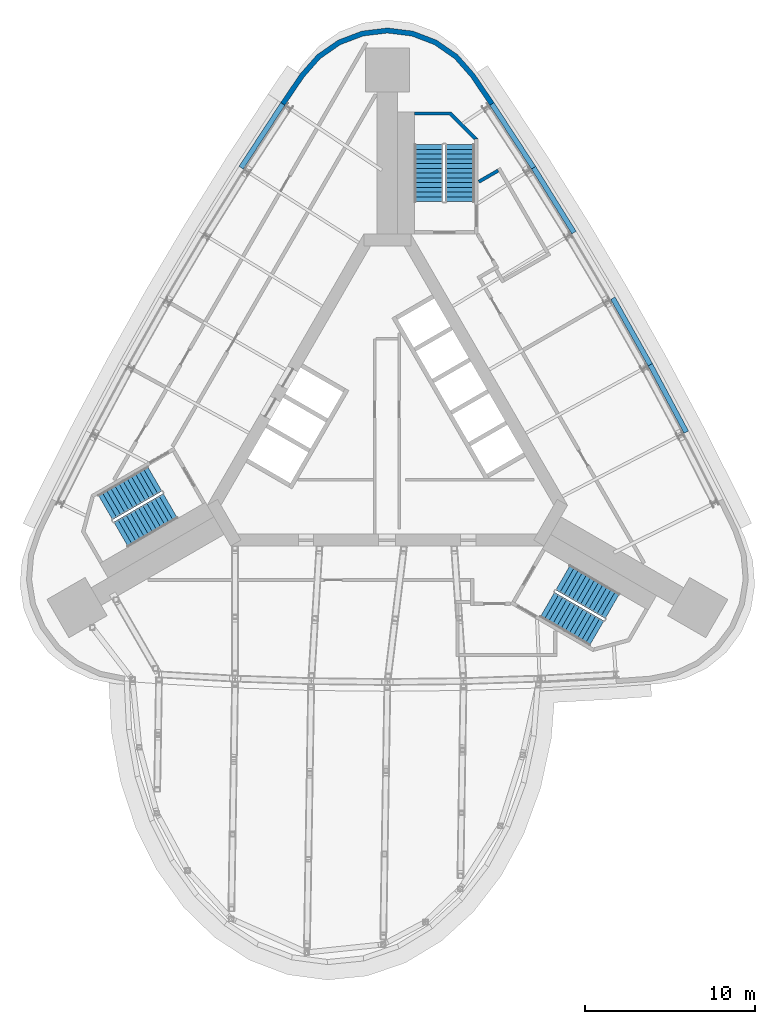
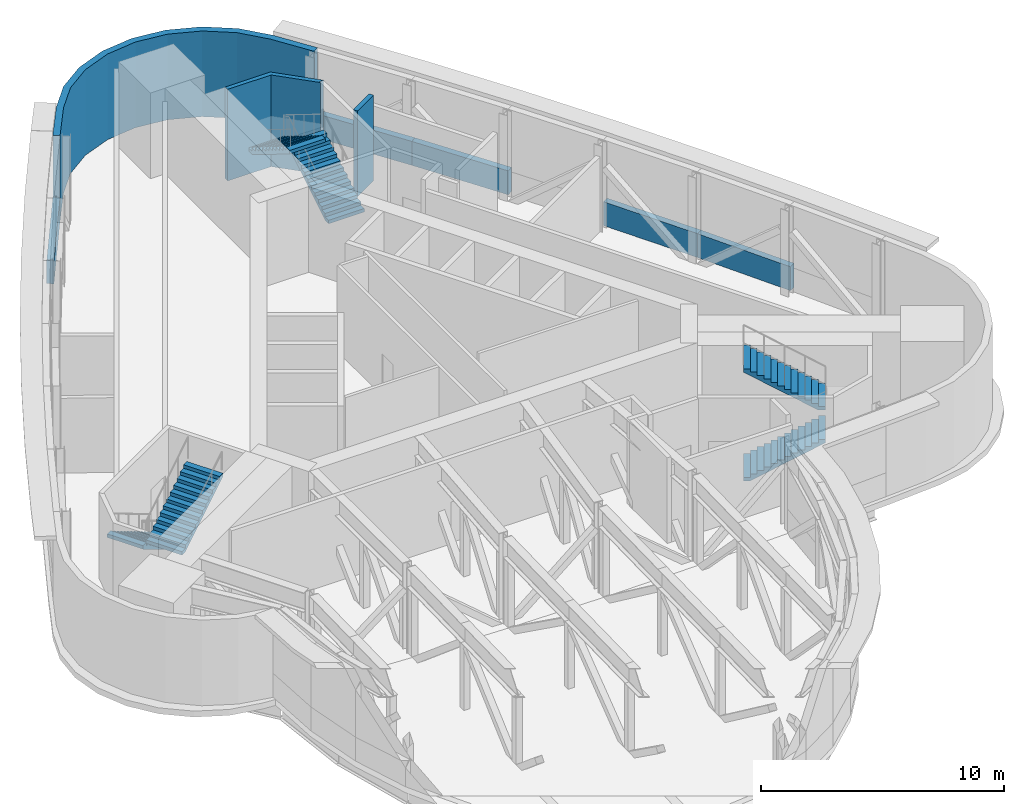
# One storey, part 8 of 10: 8 walls, 6 stair flights, 3 elements without a shape of their own.
"""IFC4 building model written with IfcOpenShell, lengths in metres."""

from ifc_helpers import new_model, si_unit, direction, frame, frame_2d, origin, place, context, subcontext, project, spatial, polyline, rectangle, outline, extrude, material, layer, layer_set, type_object, element, aggregate, save


model = new_model("IFC4")

# Units and contexts
model_context = context("Model", 3, precision=1e-05, world=origin(), true_north=direction((0.0, 1.0)))
body_context = subcontext(model_context, "Body", "Model", "MODEL_VIEW")
ifc_project = project(units=[si_unit("LENGTHUNIT", "METRE"), si_unit("AREAUNIT", "SQUARE_METRE"), si_unit("VOLUMEUNIT", "CUBIC_METRE"), si_unit("PLANEANGLEUNIT", "RADIAN"), si_unit("MASSUNIT", "GRAM", prefix="KILO")], contexts=[model_context])

# Site, building, storey
site_placement = place(None, origin())
site = spatial("IfcSite", under=ifc_project, at=site_placement, CompositionType="ELEMENT")
building_placement = place(site_placement, origin())
building = spatial("IfcBuilding", under=site, at=building_placement, Name="Noor Cloister Tower", CompositionType="ELEMENT")
storey_placement = place(building_placement, frame((0.0, 0.0, 210.300048828125)))
storey = spatial("IfcBuildingStorey", under=building, at=storey_placement, Name="L54", CompositionType="ELEMENT", Elevation=210.300048828125)

# Walls
ifc_material_1 = material(Name="Limestone", Category="masonry")
ifc_layer_1 = layer(ifc_material_1, 0.300048828125)
ifc_layer_set_1 = layer_set([ifc_layer_1], Name="Limestone cladding 300")
wall_type_1 = type_object("IfcWallType", Name="Limestone cladding 300", PredefinedType="NOTDEFINED", material=ifc_layer_set_1)
wall_1_placement = place(storey_placement, origin())
element("IfcWall", 1, at=wall_1_placement, inside=storey, type_object=wall_type_1, Name="Limestone pier cladding L54 3.1", PredefinedType="NOTDEFINED", context=body_context, shape_type="SweptSolid", body=[
    extrude(outline(polyline([(6.2822265625, 19.2041015625), (5.148681640625, 20.87890625), (4.1513671875, 22.012939453125), (2.91064453125, 22.874267578125), (1.499267578125, 23.412109375), (0.0, 23.5947265625), (-1.499267578125, 23.412109375), (-2.91064453125, 22.874267578125), (-4.1513671875, 22.012939453125), (-5.148681640625, 20.87890625), (-6.2822265625, 19.2041015625), (-6.03369140625, 19.035888671875), (-4.910888671875, 20.69482421875), (-3.9501953125, 21.787353515625), (-2.76953125, 22.60693359375), (-1.426513671875, 23.11865234375), (0.0, 23.292724609375), (1.426513671875, 23.11865234375), (2.76953125, 22.60693359375), (3.9501953125, 21.787353515625), (4.910888671875, 20.69482421875), (6.03369140625, 19.035888671875), (6.2822265625, 19.2041015625)])), origin(), (0.0, 0.0, 1.0), 4.300048828125),
])
ifc_material_2 = material(Name="Limestone", Category="masonry")
ifc_layer_2 = layer(ifc_material_2, 0.300048828125)
ifc_layer_set_2 = layer_set([ifc_layer_2], Name="Limestone panel wall 300")
wall_type_2 = type_object("IfcWallType", Name="Limestone panel wall 300", PredefinedType="NOTDEFINED", material=ifc_layer_set_2)
wall_2_placement = place(storey_placement, origin())
element("IfcWall", 2, at=wall_2_placement, inside=storey, type_object=wall_type_2, Name="Limestone panel wall L54 1.1", PredefinedType="NOTDEFINED", context=body_context, shape_type="SweptSolid", body=[
    extrude(outline(polyline([(-6.2822265625, 19.2041015625), (-8.744140625, 15.437255859375), (-8.492919921875, 15.273193359375), (-6.031005859375, 19.039794921875), (-6.2822265625, 19.2041015625)])), origin(), (0.0, 0.0, 1.0), 1.199951171875),
])
wall_3_placement = place(storey_placement, origin())
element("IfcWall", 3, at=wall_3_placement, inside=storey, type_object=wall_type_2, Name="Limestone panel wall L54 4.2", PredefinedType="NOTDEFINED", context=body_context, shape_type="SweptSolid", body=[
    extrude(outline(polyline([(17.7412109375, -0.14599609375), (15.621826171875, 3.823486328125), (15.357177734375, 3.682373046875), (17.4765625, -0.287353515625), (17.7412109375, -0.14599609375)])), origin(), (0.0, 0.0, 1.0), 1.199951171875),
])
wall_4_placement = place(storey_placement, origin())
element("IfcWall", 4, at=wall_4_placement, inside=storey, type_object=wall_type_2, Name="Limestone panel wall L54 4.3", PredefinedType="NOTDEFINED", context=body_context, shape_type="SweptSolid", body=[
    extrude(outline(polyline([(15.621826171875, 3.823486328125), (13.415283203125, 7.745361328125), (13.15380859375, 7.59814453125), (15.3603515625, 3.676513671875), (15.621826171875, 3.823486328125)])), origin(), (0.0, 0.0, 1.0), 1.199951171875),
])
wall_5_placement = place(storey_placement, origin())
element("IfcWall", 5, at=wall_5_placement, inside=storey, type_object=wall_type_2, Name="Limestone panel wall L54 4.5", PredefinedType="NOTDEFINED", context=body_context, shape_type="SweptSolid", body=[
    extrude(outline(polyline([(11.122314453125, 11.6171875), (8.744140625, 15.437255859375), (8.489501953125, 15.27880859375), (10.867431640625, 11.45849609375), (11.122314453125, 11.6171875)])), origin(), (0.0, 0.0, 1.0), 1.199951171875),
])
wall_6_placement = place(storey_placement, origin())
element("IfcWall", 6, at=wall_6_placement, inside=storey, type_object=wall_type_2, Name="Limestone panel wall L54 4.6", PredefinedType="NOTDEFINED", context=body_context, shape_type="SweptSolid", body=[
    extrude(outline(polyline([(8.744140625, 15.437255859375), (6.2822265625, 19.2041015625), (6.031005859375, 19.039794921875), (8.492919921875, 15.273193359375), (8.744140625, 15.437255859375)])), origin(), (0.0, 0.0, 1.0), 1.199951171875),
])
ifc_material_3 = material(Name="Concrete C70/85", Category="concrete")
wall_type_3 = type_object("IfcWallType", Name="Stair far end wall C70/85", PredefinedType="SHEAR", material=ifc_material_3)
wall_7_placement = place(storey_placement, frame((0.0, 0.0, -0.300048828125)))
element("IfcWall", 7, at=wall_7_placement, inside=storey, type_object=wall_type_3, Name="Stair enclosure wall ST1 L54 far end", PredefinedType="SHEAR", context=body_context, shape_type="SweptSolid", body=[
    extrude(outline(polyline([(5.335693359375, 17.056396484375), (3.735595703125, 18.656494140625), (1.585693359375, 18.656494140625), (1.585693359375, 18.456298828125), (3.65283203125, 18.456298828125), (5.135498046875, 16.9736328125), (5.135498046875, 17.056396484375), (5.135498046875, 17.056396484375), (5.135498046875, 17.056396484375), (5.135498046875, 17.056396484375), (5.135498046875, 17.056396484375), (5.135498046875, 17.056396484375), (5.135498046875, 17.056396484375), (5.135498046875, 17.056396484375), (5.135498046875, 17.056396484375), (5.135498046875, 17.056396484375), (5.135498046875, 17.056396484375), (5.135498046875, 17.056396484375), (5.135498046875, 17.056396484375), (5.135498046875, 17.056396484375), (5.135498046875, 17.056396484375), (5.135498046875, 17.056396484375), (5.135498046875, 17.056396484375), (5.335693359375, 17.056396484375)])), origin(), (0.0, 0.0, 1.0), 4.60009765625),
])
ifc_material_4 = material(Name="Concrete block wall, 200 mm", Category="concrete")
ifc_layer_3 = layer(ifc_material_4, 0.199951171875)
ifc_layer_set_3 = layer_set([ifc_layer_3], Name="Upper floor plant room wall 200")
wall_type_4 = type_object("IfcWallType", Name="Upper floor plant room wall 200", PredefinedType="PARTITIONING", material=ifc_layer_set_3)
wall_8_placement = place(storey_placement, frame((6.528564453125, 15.19189453125, 0.0), z_axis=(0.0, 0.0, 1.0), x_axis=(-0.866117824122, -0.499839889103, 0.0)))
element("IfcWall", 8, at=wall_8_placement, inside=storey, type_object=wall_type_4, Name="Upper floor plant room wall 200 L54 019", PredefinedType="PARTITIONING", context=body_context, shape_type="SweptSolid", body=[
    extrude(rectangle(XDim=1.31982421875, YDim=0.199951171875, at=frame_2d((0.659912109375, 0.0))), origin(), (0.0, 0.0, 1.0), 4.300048828125),
])

# Stair, stair flights
ifc_material_5 = material(Name="Concrete C40/50", Category="concrete")
stair_type = type_object("IfcStairType", Name="Exit stair 26 risers", PredefinedType="HALF_TURN_STAIR", material=ifc_material_5)
stair_1_placement = place(storey_placement, origin())
stair_1 = element("IfcStair", 9, at=stair_1_placement, inside=storey, type_object=stair_type, Name="Exit stair ST1 L54", PredefinedType="HALF_TURN_STAIR")
ifc_material_6 = material(Name="Concrete C40/50", Category="concrete")
stair_flight_type = type_object("IfcStairFlightType", Name="Exit stair flight", PredefinedType="STRAIGHT", material=ifc_material_6)
stair_flight_1_placement = place(storey_placement, frame((4.28564453125, 13.3564453125, 0.0), z_axis=(0.0, 0.0, 1.0), x_axis=(0.0, 1.0, 0.0)))
stair_flight_1 = element("IfcStairFlight", 10, at=stair_flight_1_placement, type_object=stair_flight_type, Name="ST1 flight 1", NumberOfRisers=13, NumberOfTreads=12, PredefinedType="STRAIGHT", RiserHeight=0.173076923, TreadLength=0.28, context=body_context, shape_type="SweptSolid", body=[
    extrude(outline(polyline([(0.0, 0.0), (0.0, 0.173095703125), (0.280029296875, 0.173095703125), (0.280029296875, 0.34619140625), (0.56005859375, 0.34619140625), (0.56005859375, 0.519287109375), (0.840087890625, 0.519287109375), (0.840087890625, 0.6923828125), (1.1201171875, 0.6923828125), (1.1201171875, 0.865478515625), (1.39990234375, 0.865478515625), (1.39990234375, 1.03857421875), (1.679931640625, 1.03857421875), (1.679931640625, 1.21142578125), (1.9599609375, 1.21142578125), (1.9599609375, 1.384521484375), (2.239990234375, 1.384521484375), (2.239990234375, 1.5576171875), (2.52001953125, 1.5576171875), (2.52001953125, 1.730712890625), (2.800048828125, 1.730712890625), (2.800048828125, 1.90380859375), (3.080078125, 1.90380859375), (3.080078125, 2.076904296875), (3.360107421875, 2.076904296875), (3.360107421875, 2.25), (3.360107421875, 1.900634765625), (0.28515625, 0.0), (0.0, 0.0)])), frame((0.0, 0.85009765625, 0.0), z_axis=(0.0, -1.0, 0.0), x_axis=(1.0, 0.0, 0.0)), (0.0, 0.0, 1.0), 1.699951171875),
])
stair_flight_2_placement = place(storey_placement, frame((2.435546875, 16.71630859375, 2.25), z_axis=(0.0, 0.0, 1.0), x_axis=(0.0, -1.0, 0.0)))
stair_flight_2 = element("IfcStairFlight", 11, at=stair_flight_2_placement, type_object=stair_flight_type, Name="ST1 flight 2", NumberOfRisers=13, NumberOfTreads=12, PredefinedType="STRAIGHT", RiserHeight=0.173076923, TreadLength=0.28, context=body_context, shape_type="SweptSolid", body=[
    extrude(outline(polyline([(0.0, 0.0), (0.0, 0.173095703125), (0.280029296875, 0.173095703125), (0.280029296875, 0.34619140625), (0.56005859375, 0.34619140625), (0.56005859375, 0.519287109375), (0.840087890625, 0.519287109375), (0.840087890625, 0.6923828125), (1.1201171875, 0.6923828125), (1.1201171875, 0.865478515625), (1.39990234375, 0.865478515625), (1.39990234375, 1.03857421875), (1.679931640625, 1.03857421875), (1.679931640625, 1.21142578125), (1.9599609375, 1.21142578125), (1.9599609375, 1.384521484375), (2.239990234375, 1.384521484375), (2.239990234375, 1.5576171875), (2.52001953125, 1.5576171875), (2.52001953125, 1.730712890625), (2.800048828125, 1.730712890625), (2.800048828125, 1.90380859375), (3.080078125, 1.90380859375), (3.080078125, 2.076904296875), (3.360107421875, 2.076904296875), (3.360107421875, 2.25), (3.360107421875, 1.900634765625), (0.28515625, 0.0), (0.0, 0.0)])), frame((0.0, 0.85009765625, 0.0), z_axis=(0.0, -1.0, 0.0), x_axis=(1.0, 0.0, 0.0)), (0.0, 0.0, 1.0), 1.699951171875),
])
aggregate(stair_1, [stair_flight_1, stair_flight_2])

stair_2_placement = place(storey_placement, origin())
stair_2 = element("IfcStair", 12, at=stair_2_placement, inside=storey, type_object=stair_type, Name="Exit stair ST2 L54", PredefinedType="HALF_TURN_STAIR")
stair_flight_3_placement = place(storey_placement, frame((-13.709716796875, -2.966796875, 0.0), z_axis=(0.0, 0.0, 1.0), x_axis=(-0.866025403784, -0.5, 0.0)))
stair_flight_3 = element("IfcStairFlight", 13, at=stair_flight_3_placement, type_object=stair_flight_type, Name="ST2 flight 1", NumberOfRisers=13, NumberOfTreads=12, PredefinedType="STRAIGHT", RiserHeight=0.173076923, TreadLength=0.28, context=body_context, shape_type="SweptSolid", body=[
    extrude(outline(polyline([(0.0, 0.0), (0.0, 0.173095703125), (0.280029296875, 0.173095703125), (0.280029296875, 0.34619140625), (0.56005859375, 0.34619140625), (0.56005859375, 0.519287109375), (0.840087890625, 0.519287109375), (0.840087890625, 0.6923828125), (1.1201171875, 0.6923828125), (1.1201171875, 0.865478515625), (1.39990234375, 0.865478515625), (1.39990234375, 1.03857421875), (1.679931640625, 1.03857421875), (1.679931640625, 1.21142578125), (1.9599609375, 1.21142578125), (1.9599609375, 1.384521484375), (2.239990234375, 1.384521484375), (2.239990234375, 1.5576171875), (2.52001953125, 1.5576171875), (2.52001953125, 1.730712890625), (2.800048828125, 1.730712890625), (2.800048828125, 1.90380859375), (3.080078125, 1.90380859375), (3.080078125, 2.076904296875), (3.360107421875, 2.076904296875), (3.360107421875, 2.25), (3.360107421875, 1.900634765625), (0.28515625, 0.0), (0.0, 0.0)])), frame((0.0, 0.85009765625, 0.0), z_axis=(0.0, -1.0, 0.0), x_axis=(1.0, 0.0, 0.0)), (0.0, 0.0, 1.0), 1.699951171875),
])
stair_flight_4_placement = place(storey_placement, frame((-15.694580078125, -6.248779296875, 2.25), z_axis=(0.0, 0.0, 1.0), x_axis=(0.866025403784, 0.5, 0.0)))
stair_flight_4 = element("IfcStairFlight", 14, at=stair_flight_4_placement, type_object=stair_flight_type, Name="ST2 flight 2", NumberOfRisers=13, NumberOfTreads=12, PredefinedType="STRAIGHT", RiserHeight=0.173076923, TreadLength=0.28, context=body_context, shape_type="SweptSolid", body=[
    extrude(outline(polyline([(0.0, 0.0), (0.0, 0.173095703125), (0.280029296875, 0.173095703125), (0.280029296875, 0.34619140625), (0.56005859375, 0.34619140625), (0.56005859375, 0.519287109375), (0.840087890625, 0.519287109375), (0.840087890625, 0.6923828125), (1.1201171875, 0.6923828125), (1.1201171875, 0.865478515625), (1.39990234375, 0.865478515625), (1.39990234375, 1.03857421875), (1.679931640625, 1.03857421875), (1.679931640625, 1.21142578125), (1.9599609375, 1.21142578125), (1.9599609375, 1.384521484375), (2.239990234375, 1.384521484375), (2.239990234375, 1.5576171875), (2.52001953125, 1.5576171875), (2.52001953125, 1.730712890625), (2.800048828125, 1.730712890625), (2.800048828125, 1.90380859375), (3.080078125, 1.90380859375), (3.080078125, 2.076904296875), (3.360107421875, 2.076904296875), (3.360107421875, 2.25), (3.360107421875, 1.900634765625), (0.28515625, 0.0), (0.0, 0.0)])), frame((0.0, 0.85009765625, 0.0), z_axis=(0.0, -1.0, 0.0), x_axis=(1.0, 0.0, 0.0)), (0.0, 0.0, 1.0), 1.699951171875),
])
aggregate(stair_2, [stair_flight_3, stair_flight_4])

stair_3_placement = place(storey_placement, origin())
stair_3 = element("IfcStair", 15, at=stair_3_placement, inside=storey, type_object=stair_type, Name="Exit stair ST3 L54", PredefinedType="HALF_TURN_STAIR")
stair_flight_5_placement = place(storey_placement, frame((9.424072265625, -10.3896484375, 0.0), z_axis=(0.0, 0.0, 1.0), x_axis=(0.866025403784, -0.5, 0.0)))
stair_flight_5 = element("IfcStairFlight", 16, at=stair_flight_5_placement, type_object=stair_flight_type, Name="ST3 flight 1", NumberOfRisers=13, NumberOfTreads=12, PredefinedType="STRAIGHT", RiserHeight=0.173076923, TreadLength=0.28, context=body_context, shape_type="SweptSolid", body=[
    extrude(outline(polyline([(0.0, 0.0), (0.0, 0.173095703125), (0.280029296875, 0.173095703125), (0.280029296875, 0.34619140625), (0.56005859375, 0.34619140625), (0.56005859375, 0.519287109375), (0.840087890625, 0.519287109375), (0.840087890625, 0.6923828125), (1.1201171875, 0.6923828125), (1.1201171875, 0.865478515625), (1.39990234375, 0.865478515625), (1.39990234375, 1.03857421875), (1.679931640625, 1.03857421875), (1.679931640625, 1.21142578125), (1.9599609375, 1.21142578125), (1.9599609375, 1.384521484375), (2.239990234375, 1.384521484375), (2.239990234375, 1.5576171875), (2.52001953125, 1.5576171875), (2.52001953125, 1.730712890625), (2.800048828125, 1.730712890625), (2.800048828125, 1.90380859375), (3.080078125, 1.90380859375), (3.080078125, 2.076904296875), (3.360107421875, 2.076904296875), (3.360107421875, 2.25), (3.360107421875, 1.900634765625), (0.28515625, 0.0), (0.0, 0.0)])), frame((0.0, 0.85009765625, 0.0), z_axis=(0.0, -1.0, 0.0), x_axis=(1.0, 0.0, 0.0)), (0.0, 0.0, 1.0), 1.699951171875),
])
stair_flight_6_placement = place(storey_placement, frame((13.259033203125, -10.467529296875, 2.25), z_axis=(0.0, 0.0, 1.0), x_axis=(-0.866025403784, 0.5, 0.0)))
stair_flight_6 = element("IfcStairFlight", 17, at=stair_flight_6_placement, type_object=stair_flight_type, Name="ST3 flight 2", NumberOfRisers=13, NumberOfTreads=12, PredefinedType="STRAIGHT", RiserHeight=0.173076923, TreadLength=0.28, context=body_context, shape_type="SweptSolid", body=[
    extrude(outline(polyline([(0.0, 0.0), (0.0, 0.173095703125), (0.280029296875, 0.173095703125), (0.280029296875, 0.34619140625), (0.56005859375, 0.34619140625), (0.56005859375, 0.519287109375), (0.840087890625, 0.519287109375), (0.840087890625, 0.6923828125), (1.1201171875, 0.6923828125), (1.1201171875, 0.865478515625), (1.39990234375, 0.865478515625), (1.39990234375, 1.03857421875), (1.679931640625, 1.03857421875), (1.679931640625, 1.21142578125), (1.9599609375, 1.21142578125), (1.9599609375, 1.384521484375), (2.239990234375, 1.384521484375), (2.239990234375, 1.5576171875), (2.52001953125, 1.5576171875), (2.52001953125, 1.730712890625), (2.800048828125, 1.730712890625), (2.800048828125, 1.90380859375), (3.080078125, 1.90380859375), (3.080078125, 2.076904296875), (3.360107421875, 2.076904296875), (3.360107421875, 2.25), (3.360107421875, 1.900634765625), (0.28515625, 0.0), (0.0, 0.0)])), frame((0.0, 0.85009765625, 0.0), z_axis=(0.0, -1.0, 0.0), x_axis=(1.0, 0.0, 0.0)), (0.0, 0.0, 1.0), 1.699951171875),
])
aggregate(stair_3, [stair_flight_5, stair_flight_6])

save(model, "model.ifc")
